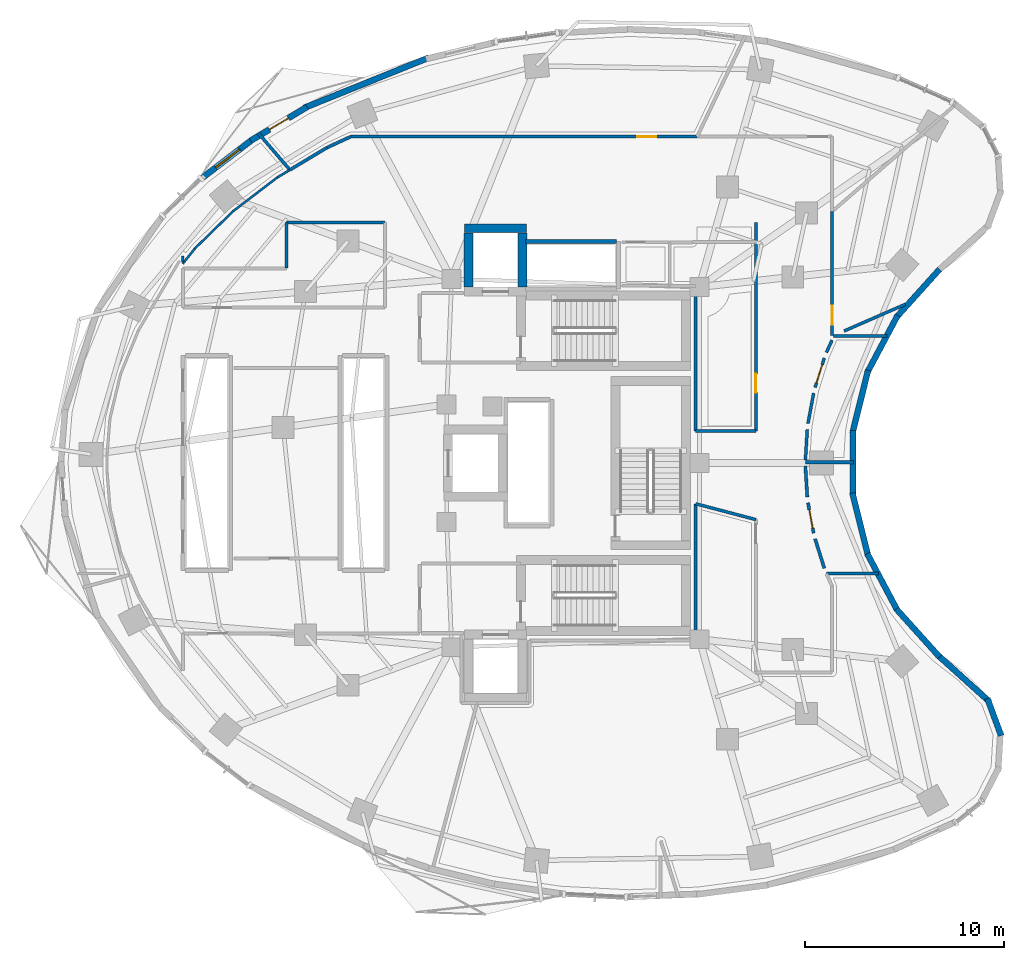
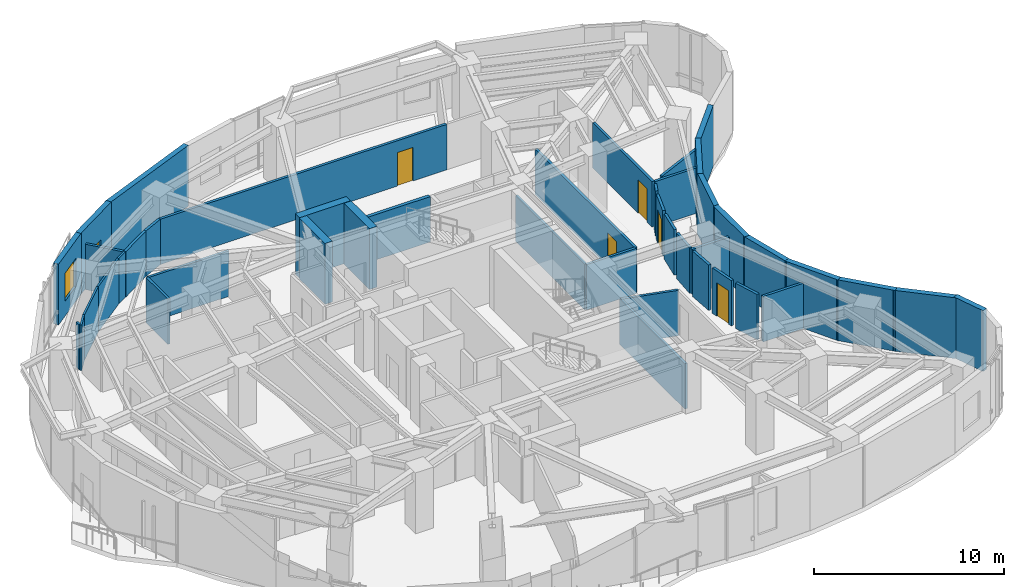
# One storey, part 9 of 13: 44 walls, 6 doors, 1 window, 7 openings.
"""IFC4 building model written with IfcOpenShell, lengths in metres."""

import ifcopenshell
import ifcopenshell.guid

model = None  # the IFC model being written
_history = None  # IfcOwnerHistory: only IFC2X3 demands one
_inside = {}  # id of a spatial element -> (the spatial element, [elements in it])
_under = {}  # id of a project, library or spatial element -> (it, [spatial elements below it])
_declared = {}  # id of a project -> (the project, [libraries it declares])
_typed = {}  # id of a type object -> (the type object, [elements of that type])
_made_of = {}  # id of a material, layer set ... -> (it, [elements and type objects made of it])


def new_model(schema):
    """Start an empty IFC model of exactly this schema.

    Asked for "IFC4X3", IfcOpenShell would pick the latest addendum, in which some entities
    have other attributes; the version numbers below select the first issue.
    IFC2X3 requires an IfcOwnerHistory on every rooted entity: one is made here for all.
    """
    global model, _history
    if schema == "IFC4X3":
        model = ifcopenshell.file(schema_version=(4, 3, 0, 0))
    else:
        model = ifcopenshell.file(schema=schema)
    _inside.clear()
    _under.clear()
    _declared.clear()
    _typed.clear()
    _made_of.clear()
    _history = None
    if model.schema == "IFC2X3":
        org = make("IfcOrganization", Name="unknown")
        user = make(
            "IfcPersonAndOrganization",
            ThePerson=make("IfcPerson", FamilyName="unknown"),
            TheOrganization=org,
        )
        app = make(
            "IfcApplication",
            ApplicationDeveloper=org,
            Version="unknown",
            ApplicationFullName="unknown",
            ApplicationIdentifier="unknown",
        )
        _history = make(
            "IfcOwnerHistory",
            OwningUser=user,
            OwningApplication=app,
            ChangeAction="ADDED",
            CreationDate=0,
        )
    return model


def make(cls, **values):
    """One entity of the class cls with the attributes given. An attribute that is None is left unset."""
    return model.create_entity(
        cls, **{name: value for name, value in values.items() if value is not None}
    )


def rooted(cls, **values):
    """An entity with a GlobalId (a new one), such as an element, a storey or a relation."""
    return make(cls, GlobalId=ifcopenshell.guid.new(), OwnerHistory=_history, **values)


def si_unit(unit_type, name, prefix=None):
    """IfcSIUnit, for example si_unit("LENGTHUNIT", "METRE", prefix="MILLI")."""
    return make("IfcSIUnit", UnitType=unit_type, Prefix=prefix, Name=name)


def assignment(units):
    """IfcUnitAssignment: the units of a project."""
    return None if units is None else make("IfcUnitAssignment", Units=units)


def point(xyz):
    """IfcCartesianPoint."""
    return None if xyz is None else make("IfcCartesianPoint", Coordinates=xyz)


def direction(xyz):
    """IfcDirection."""
    return None if xyz is None else make("IfcDirection", DirectionRatios=xyz)


def frame(location, z_axis=None, x_axis=None):
    """IfcAxis2Placement3D, a coordinate frame: its origin and axes. An axis left out is left unset."""
    return make(
        "IfcAxis2Placement3D",
        Location=point(location),
        Axis=direction(z_axis),
        RefDirection=direction(x_axis),
    )


def frame_2d(location, x_axis=None):
    """IfcAxis2Placement2D, a coordinate frame in the plane: its origin and x axis."""
    return make(
        "IfcAxis2Placement2D", Location=point(location), RefDirection=direction(x_axis)
    )


def origin():
    """The frame at (0, 0, 0) with its axes left unset."""
    return frame((0.0, 0.0, 0.0))


def place(relative_to, where):
    """IfcLocalPlacement: puts the frame where relative to a parent placement (None: the world)."""
    return make(
        "IfcLocalPlacement", PlacementRelTo=relative_to, RelativePlacement=where
    )


def context(
    kind, dimensions, precision=None, world=None, true_north=None, identifier=None
):
    """IfcGeometricRepresentationContext, for example the 3D "Model" context."""
    return make(
        "IfcGeometricRepresentationContext",
        ContextIdentifier=identifier,
        ContextType=kind,
        CoordinateSpaceDimension=dimensions,
        Precision=precision,
        WorldCoordinateSystem=world,
        TrueNorth=true_north,
    )


def subcontext(parent, identifier, kind, view, scale=None):
    """IfcGeometricRepresentationSubContext, for example "Body" below "Model"."""
    return make(
        "IfcGeometricRepresentationSubContext",
        ContextIdentifier=identifier,
        ContextType=kind,
        ParentContext=parent,
        TargetScale=scale,
        TargetView=view,
    )


def project(units=None, contexts=None):
    """IfcProject with its units and contexts."""
    return rooted(
        "IfcProject",
        Name="project",
        RepresentationContexts=contexts,
        UnitsInContext=assignment(units),
    )


def spatial(cls, under=None, at=None, **own):
    """A site, building, storey or space (cls), placed at a placement, below another one or the project."""
    s = rooted(cls, ObjectPlacement=at, **own)
    if under is not None:
        _under.setdefault(under.id(), (under, []))[1].append(s)
    return s


def profile(cls, at=None, kind="AREA", **sizes):
    """A parametric profile (cls). Its sizes go by their IFC names, for example OverallWidth=200.0."""
    return make(cls, ProfileType=kind, Position=at, **sizes)


def rectangle(**sizes):
    """IfcRectangleProfileDef."""
    return profile("IfcRectangleProfileDef", **sizes)


def extrude(swept, where, along, depth):
    """IfcExtrudedAreaSolid: the profile swept, set in the frame where, extruded along a direction by depth."""
    return make(
        "IfcExtrudedAreaSolid",
        SweptArea=swept,
        Position=where,
        ExtrudedDirection=direction(along),
        Depth=depth,
    )


def shape(context_of_items, identifier, shape_type, items):
    """IfcShapeRepresentation: the items that make up one representation, for example the "Body"."""
    return make(
        "IfcShapeRepresentation",
        ContextOfItems=context_of_items,
        RepresentationIdentifier=identifier,
        RepresentationType=shape_type,
        Items=items,
    )


def material(Name=None, Category=None):
    """IfcMaterial."""
    return make("IfcMaterial", Name=Name, Category=Category)


def layer(
    of_material, thickness, ventilated=None, Name=None, Category=None, Priority=None
):
    """IfcMaterialLayer: one layer of a wall or slab, of a material (None: an air gap)."""
    return make(
        "IfcMaterialLayer",
        Material=of_material,
        LayerThickness=thickness,
        IsVentilated=ventilated,
        Name=Name,
        Category=Category,
        Priority=Priority,
    )


def layer_set(layers, Name=None):
    """IfcMaterialLayerSet."""
    return make("IfcMaterialLayerSet", MaterialLayers=layers, LayerSetName=Name)


def made_of(thing, what):
    """Note that an element or type object is made of a material, layer set ...; save() writes the relation."""
    if what is not None:
        _made_of.setdefault(what.id(), (what, []))[1].append(thing)
    return thing


def type_object(cls, material=None, **own):
    """A type object (cls), such as IfcWallType, which elements share."""
    return made_of(rooted(cls, **own), material)


def element(
    cls,
    number,
    at=None,
    inside=None,
    cuts=None,
    type_object=None,
    material=None,
    context=None,
    identifier="Body",
    shape_type=None,
    held_by="IfcProductDefinitionShape",
    body=None,
    shapes=None,
    **own,
):
    """One element of the class cls, such as IfcWall. Its Tag is "e" and its number.

    at: its placement. inside: the storey or other place that contains it. cuts: it is an
    opening in that element (IfcRelVoidsElement). A single representation is given by context,
    identifier, shape_type and body (its items); several are given by shapes. held_by: the class
    of the entity that holds the representations. save() writes the other relations.
    """
    e = rooted(cls, Tag="e%d" % number, ObjectPlacement=at, **own)
    if body is not None:
        shapes = [shape(context, identifier, shape_type, body)]
    if shapes is not None:
        e.Representation = make(held_by, Representations=shapes)
    if inside is not None:
        _inside.setdefault(inside.id(), (inside, []))[1].append(e)
    if cuts is not None:
        rooted(
            "IfcRelVoidsElement", RelatingBuildingElement=cuts, RelatedOpeningElement=e
        )
    if type_object is not None:
        _typed.setdefault(type_object.id(), (type_object, []))[1].append(e)
    return made_of(e, material)


def fill(opening, filler):
    """IfcRelFillsElement: the door or window that sits in an opening."""
    return rooted(
        "IfcRelFillsElement",
        RelatingOpeningElement=opening,
        RelatedBuildingElement=filler,
    )


def aggregate(whole, parts):
    """IfcRelAggregates: a whole, such as a stair, and the parts it consists of."""
    return rooted("IfcRelAggregates", RelatingObject=whole, RelatedObjects=parts)


def save(model, path):
    """Write the relations noted so far, then the file.

    IfcRelAggregates (storeys below a building ...), IfcRelContainedInSpatialStructure (elements
    in a storey), IfcRelDefinesByType, IfcRelAssociatesMaterial and IfcRelDeclares: one each for
    every whole, place, type object, material and project.
    """
    for whole, parts in _under.values():
        aggregate(whole, parts)
    for where, things in _inside.values():
        rooted(
            "IfcRelContainedInSpatialStructure",
            RelatedElements=things,
            RelatingStructure=where,
        )
    for kind, things in _typed.values():
        rooted("IfcRelDefinesByType", RelatedObjects=things, RelatingType=kind)
    for what, things in _made_of.values():
        rooted("IfcRelAssociatesMaterial", RelatedObjects=things, RelatingMaterial=what)
    for by, libraries in _declared.values():
        rooted("IfcRelDeclares", RelatingContext=by, RelatedDefinitions=libraries)
    model.write(path)


model = new_model("IFC4")

# Units and contexts
model_context = context("Model", 3, precision=1e-05, world=origin(), true_north=direction((0.0, 1.0)))
body_context = subcontext(model_context, "Body", "Model", "MODEL_VIEW")
ifc_project = project(units=[si_unit("LENGTHUNIT", "METRE"), si_unit("AREAUNIT", "SQUARE_METRE"), si_unit("VOLUMEUNIT", "CUBIC_METRE"), si_unit("PLANEANGLEUNIT", "RADIAN"), si_unit("MASSUNIT", "GRAM", prefix="KILO")], contexts=[model_context])

# Site, building, storey
site_placement = place(None, origin())
site = spatial("IfcSite", under=ifc_project, at=site_placement, CompositionType="ELEMENT")
building_placement = place(site_placement, origin())
building = spatial("IfcBuilding", under=site, at=building_placement, Name="Korentha Bioscience Tower", CompositionType="ELEMENT")
storey_placement = place(building_placement, frame((0.0, 0.0, 106.800048828125)))
storey = spatial("IfcBuildingStorey", under=building, at=storey_placement, Name="L24", CompositionType="ELEMENT", Elevation=106.800048828125)

# Wall, opening, door
ifc_material_1 = material(Name="Double-Stud Acoustic Gypsum", Category="gypsum")
ifc_layer_1 = layer(ifc_material_1, 0.14990234375, Name="Double-Stud Acoustic Gypsum")
ifc_layer_set_1 = layer_set([ifc_layer_1], Name="Double-Stud Acoustic Gypsum (IW-L150)")
wall_type_1 = type_object("IfcWallType", Name="Acoustic Laboratory Partition Wall 150", PredefinedType="PARTITIONING", material=ifc_layer_set_1)
wall_1_placement = place(storey_placement, frame((43.35791015625, 30.803466796875, 0.0), z_axis=(0.0, 0.0, 1.0), x_axis=(0.300641414783, 0.953737248783, 0.0)))
wall_1 = element("IfcWall", 1, at=wall_1_placement, inside=storey, type_object=wall_type_1, Name="L24 Biomechanical Motion Analysis Lab 04 Entrance Wall", PredefinedType="PARTITIONING", context=body_context, shape_type="SweptSolid", body=[
    extrude(rectangle(XDim=1.55029296875, YDim=0.14990234375, at=frame_2d((0.775146484375, 0.0))), origin(), (0.0, 0.0, 1.0), 2.909912109375),
])
opening_1_placement = place(wall_1_placement, frame((0.239990234375, 0.0, 0.0)))
opening_1 = element("IfcOpeningElement", 2, at=opening_1_placement, cuts=wall_1, Name="Opening ID-10L", PredefinedType="OPENING", context=body_context, shape_type="SweptSolid", body=[
    extrude(rectangle(XDim=0.949951171875, YDim=2.14990234375, at=frame_2d((0.47509765625, 1.074951171875))), frame((0.0, 0.08984375, 0.0), z_axis=(0.0, -1.0, 0.0), x_axis=(1.0, 0.0, 0.0)), (0.0, 0.0, 1.0), 0.1796875),
])
ifc_material_2 = material(Name="Phenolic Laminate Timber Core", Category="wood")
door_type_1 = type_object("IfcDoorType", Name="Laboratory Single Leaf Door 950x2150 Left", OperationType="SINGLE_SWING_LEFT", PredefinedType="DOOR", material=ifc_material_2)
door_1_placement = place(opening_1_placement, origin())
door_1 = element("IfcDoor", 3, at=door_1_placement, inside=storey, type_object=door_type_1, Name="L24 Biomechanical Motion Analysis Lab 04 Door", OperationType="SINGLE_SWING_LEFT", OverallHeight=2.14990234375, OverallWidth=0.949951171875, PredefinedType="DOOR", context=body_context, shape_type="SweptSolid", body=[
    extrude(rectangle(XDim=0.949951171875, YDim=2.14990234375, at=frame_2d((0.47509765625, 1.074951171875))), frame((0.0, 0.02490234375, 0.0), z_axis=(0.0, -1.0, 0.0), x_axis=(1.0, 0.0, 0.0)), (0.0, 0.0, 1.0), 0.050048828125),
])
fill(opening_1, door_1)

wall_2_placement = place(storey_placement, frame((44.2099609375, 33.402099609375, 0.0), z_axis=(0.0, 0.0, 1.0), x_axis=(0.0, 1.0, 0.0)))
wall_2 = element("IfcWall", 4, at=wall_2_placement, inside=storey, type_object=wall_type_1, Name="L24 Automated High-Throughput Assay Lab 05 Entrance Wall", PredefinedType="PARTITIONING", context=body_context, shape_type="SweptSolid", body=[
    extrude(rectangle(XDim=6.23779296875, YDim=0.14990234375, at=frame_2d((3.118896484375, 0.0))), origin(), (0.0, 0.0, 1.0), 2.909912109375),
])
opening_2_placement = place(wall_2_placement, frame((0.54248046875, 0.0, 0.0)))
opening_2 = element("IfcOpeningElement", 5, at=opening_2_placement, cuts=wall_2, Name="Opening ID-10R", PredefinedType="OPENING", context=body_context, shape_type="SweptSolid", body=[
    extrude(rectangle(XDim=0.949951171875, YDim=2.14990234375, at=frame_2d((0.47509765625, 1.074951171875))), frame((0.0, 0.08984375, 0.0), z_axis=(0.0, -1.0, 0.0), x_axis=(1.0, 0.0, 0.0)), (0.0, 0.0, 1.0), 0.1796875),
])
door_type_2 = type_object("IfcDoorType", Name="Laboratory Single Leaf Door 950x2150 Right", OperationType="SINGLE_SWING_RIGHT", PredefinedType="DOOR", material=ifc_material_2)
door_2_placement = place(opening_2_placement, origin())
door_2 = element("IfcDoor", 6, at=door_2_placement, inside=storey, type_object=door_type_2, Name="L24 Automated High-Throughput Assay Lab 05 Door", OperationType="SINGLE_SWING_RIGHT", OverallHeight=2.14990234375, OverallWidth=0.949951171875, PredefinedType="DOOR", context=body_context, shape_type="SweptSolid", body=[
    extrude(rectangle(XDim=0.949951171875, YDim=2.14990234375, at=frame_2d((0.47509765625, 1.074951171875))), frame((0.0, 0.02490234375, 0.0), z_axis=(0.0, -1.0, 0.0), x_axis=(1.0, 0.0, 0.0)), (0.0, 0.0, 1.0), 0.050048828125),
])
fill(opening_2, door_2)

wall_3_placement = place(storey_placement, frame((40.389892578125, 39.090087890625, 0.0), z_axis=(0.0, 0.0, 1.0), x_axis=(0.0, -1.0, 0.0)))
wall_3 = element("IfcWall", 7, at=wall_3_placement, inside=storey, type_object=wall_type_1, Name="L24 Mass-Spectrometry Analytical Suite 06 Entrance Wall", PredefinedType="PARTITIONING", context=body_context, shape_type="SweptSolid", body=[
    extrude(rectangle(XDim=10.47998046875, YDim=0.14990234375, at=frame_2d((5.239990234375, 0.0))), origin(), (0.0, 0.0, 1.0), 2.909912109375),
])
opening_3_placement = place(wall_3_placement, frame((7.603759765625, 0.0, 0.0)))
opening_3 = element("IfcOpeningElement", 8, at=opening_3_placement, cuts=wall_3, Name="Opening ID-10L", PredefinedType="OPENING", context=body_context, shape_type="SweptSolid", body=[
    extrude(rectangle(XDim=0.949951171875, YDim=2.14990234375, at=frame_2d((0.47509765625, 1.074951171875))), frame((0.0, 0.08984375, 0.0), z_axis=(0.0, -1.0, 0.0), x_axis=(1.0, 0.0, 0.0)), (0.0, 0.0, 1.0), 0.1796875),
])
door_3_placement = place(opening_3_placement, origin())
door_3 = element("IfcDoor", 9, at=door_3_placement, inside=storey, type_object=door_type_1, Name="L24 Mass-Spectrometry Analytical Suite 06 Door", OperationType="SINGLE_SWING_LEFT", OverallHeight=2.14990234375, OverallWidth=0.949951171875, PredefinedType="DOOR", context=body_context, shape_type="SweptSolid", body=[
    extrude(rectangle(XDim=0.949951171875, YDim=2.14990234375, at=frame_2d((0.47509765625, 1.074951171875))), frame((0.0, 0.02490234375, 0.0), z_axis=(0.0, -1.0, 0.0), x_axis=(1.0, 0.0, 0.0)), (0.0, 0.0, 1.0), 0.050048828125),
])
fill(opening_3, door_3)

# Walls
wall_4_placement = place(storey_placement, frame((37.360107421875, 18.10009765625, 0.0), z_axis=(0.0, 0.0, 1.0), x_axis=(0.0, 1.0, 0.0)))
element("IfcWall", 10, at=wall_4_placement, inside=storey, type_object=wall_type_1, Name="L24 Interior Partition 024", PredefinedType="PARTITIONING", context=body_context, shape_type="SweptSolid", body=[
    extrude(rectangle(XDim=6.85791015625, YDim=0.14990234375, at=frame_2d((3.428955078125, 0.0))), origin(), (0.0, 0.0, 1.0), 2.909912109375),
])
wall_5_placement = place(storey_placement, frame((37.360107421875, 24.9580078125, 0.0), z_axis=(0.0, 0.0, 1.0), x_axis=(0.967070499487, -0.254508642331, 0.0)))
element("IfcWall", 11, at=wall_5_placement, inside=storey, type_object=wall_type_1, Name="L24 Interior Partition 025", PredefinedType="PARTITIONING", context=body_context, shape_type="SweptSolid", body=[
    extrude(rectangle(XDim=3.133056640625, YDim=0.14990234375, at=frame_2d((1.56640625, 0.0))), origin(), (0.0, 0.0, 1.0), 2.909912109375),
])
wall_6_placement = place(storey_placement, frame((43.927490234375, 21.447998046875, 0.0), z_axis=(0.0, 0.0, 1.0), x_axis=(1.0, 0.0, 0.0)))
element("IfcWall", 12, at=wall_6_placement, inside=storey, type_object=wall_type_1, Name="L24 Interior Partition 029", PredefinedType="PARTITIONING", context=body_context, shape_type="SweptSolid", body=[
    extrude(rectangle(XDim=2.621337890625, YDim=0.14990234375, at=frame_2d((1.310546875, 0.0))), origin(), (0.0, 0.0, 1.0), 2.909912109375),
])
wall_7_placement = place(storey_placement, frame((42.87255859375, 27.148681640625, 0.0), z_axis=(0.0, 0.0, 1.0), x_axis=(0.061103659378, 0.99813142562, 0.0)))
element("IfcWall", 13, at=wall_7_placement, inside=storey, type_object=wall_type_1, Name="L24 Interior Partition 036", PredefinedType="PARTITIONING", context=body_context, shape_type="SweptSolid", body=[
    extrude(rectangle(XDim=1.55029296875, YDim=0.14990234375, at=frame_2d((0.775146484375, 0.0))), origin(), (0.0, 0.0, 1.0), 2.909912109375),
])
wall_8_placement = place(storey_placement, frame((43.00341796875, 28.99072265625, 0.0), z_axis=(0.0, 0.0, 1.0), x_axis=(0.182168192784, 0.983267384559, 0.0)))
element("IfcWall", 14, at=wall_8_placement, inside=storey, type_object=wall_type_1, Name="L24 Interior Partition 037", PredefinedType="PARTITIONING", context=body_context, shape_type="SweptSolid", body=[
    extrude(rectangle(XDim=1.550537109375, YDim=0.14990234375, at=frame_2d((0.775390625, 0.0))), origin(), (0.0, 0.0, 1.0), 2.909912109375),
])
wall_9_placement = place(storey_placement, frame((43.930419921875, 32.55908203125, 0.0), z_axis=(0.0, 0.0, 1.0), x_axis=(0.414377467152, 0.910105111905, 0.0)))
element("IfcWall", 15, at=wall_9_placement, inside=storey, type_object=wall_type_1, Name="L24 Interior Partition 038", PredefinedType="PARTITIONING", context=body_context, shape_type="SweptSolid", body=[
    extrude(rectangle(XDim=0.67236328125, YDim=0.14990234375, at=frame_2d((0.336181640625, 0.0))), origin(), (0.0, 0.0, 1.0), 2.909912109375),
])
wall_10_placement = place(storey_placement, frame((44.277099609375, 33.39794921875, 0.0), z_axis=(0.0, 0.0, 1.0), x_axis=(1.0, 0.0, 0.0)))
element("IfcWall", 16, at=wall_10_placement, inside=storey, type_object=wall_type_1, Name="L24 Interior Partition 039", PredefinedType="PARTITIONING", context=body_context, shape_type="SweptSolid", body=[
    extrude(rectangle(XDim=2.7041015625, YDim=0.14990234375, at=frame_2d((1.35205078125, 0.0))), origin(), (0.0, 0.0, 1.0), 2.909912109375),
])
wall_11_placement = place(storey_placement, frame((47.896728515625, 34.981689453125, 0.0), z_axis=(0.0, 0.0, 1.0), x_axis=(-0.916547126563, -0.399926699271, 0.0)))
element("IfcWall", 17, at=wall_11_placement, inside=storey, type_object=wall_type_1, Name="L24 Interior Partition 040", PredefinedType="PARTITIONING", context=body_context, shape_type="SweptSolid", body=[
    extrude(rectangle(XDim=3.360107421875, YDim=0.14990234375, at=frame_2d((1.68017578125, 0.0))), origin(), (0.0, 0.0, 1.0), 2.909912109375),
])
wall_12_placement = place(storey_placement, frame((40.389892578125, 28.610107421875, 0.0), z_axis=(0.0, 0.0, 1.0), x_axis=(-1.0, 0.0, 0.0)))
element("IfcWall", 18, at=wall_12_placement, inside=storey, type_object=wall_type_1, Name="L24 Interior Partition 046", PredefinedType="PARTITIONING", context=body_context, shape_type="SweptSolid", body=[
    extrude(rectangle(XDim=3.02978515625, YDim=0.14990234375, at=frame_2d((1.514892578125, 0.0))), origin(), (0.0, 0.0, 1.0), 2.909912109375),
])
wall_13_placement = place(storey_placement, frame((37.360107421875, 28.610107421875, 0.0), z_axis=(0.0, 0.0, 1.0), x_axis=(0.0, 1.0, 0.0)))
element("IfcWall", 19, at=wall_13_placement, inside=storey, type_object=wall_type_1, Name="L24 Interior Partition 047", PredefinedType="PARTITIONING", context=body_context, shape_type="SweptSolid", body=[
    extrude(rectangle(XDim=7.289794921875, YDim=0.14990234375, at=frame_2d((3.64501953125, 0.0))), origin(), (0.0, 0.0, 1.0), 2.909912109375),
])
wall_14_placement = place(storey_placement, frame((16.81005859375, 36.800048828125, 0.0), z_axis=(0.0, 0.0, 1.0), x_axis=(0.0, 1.0, 0.0)))
element("IfcWall", 20, at=wall_14_placement, inside=storey, type_object=wall_type_1, Name="L24 Interior Partition 053", PredefinedType="PARTITIONING", context=body_context, shape_type="SweptSolid", body=[
    extrude(rectangle(XDim=2.2900390625, YDim=0.14990234375, at=frame_2d((1.14501953125, 0.0))), origin(), (0.0, 0.0, 1.0), 2.909912109375),
])
wall_15_placement = place(storey_placement, frame((16.81005859375, 39.090087890625, 0.0), z_axis=(0.0, 0.0, 1.0), x_axis=(1.0, 0.0, 0.0)))
element("IfcWall", 21, at=wall_15_placement, inside=storey, type_object=wall_type_1, Name="L24 Interior Partition 054", PredefinedType="PARTITIONING", context=body_context, shape_type="SweptSolid", body=[
    extrude(rectangle(XDim=4.929931640625, YDim=0.14990234375, at=frame_2d((2.46484375, 0.0))), origin(), (0.0, 0.0, 1.0), 2.909912109375),
])
ifc_material_3 = material(Name="Fire-Rated Framed Glass", Category="glass")
ifc_layer_2 = layer(ifc_material_3, 0.110107421875, Name="Fire-Rated Framed Glass")
ifc_layer_set_2 = layer_set([ifc_layer_2], Name="Fire-Rated Framed Glass (IW-G110)")
wall_type_2 = type_object("IfcWallType", Name="Demountable Glazed Office Partition 110", PredefinedType="MOVABLE", material=ifc_layer_set_2)
wall_16_placement = place(storey_placement, frame((16.9619140625, 41.72705078125, 0.0), z_axis=(0.0, 0.0, 1.0), x_axis=(-0.857611696608, -0.514297752126, 0.0)))
element("IfcWall", 22, at=wall_16_placement, inside=storey, type_object=wall_type_2, Name="L24 Interior Partition 058", PredefinedType="MOVABLE", context=body_context, shape_type="SweptSolid", body=[
    extrude(rectangle(XDim=0.725341796875, YDim=0.110107421875, at=frame_2d((0.36279296875, 0.0))), origin(), (0.0, 0.0, 1.0), 2.909912109375),
])
wall_17_placement = place(storey_placement, frame((16.3388671875, 41.353515625, 0.0), z_axis=(0.0, 0.0, 1.0), x_axis=(-0.794513779695, -0.607246122981, 0.0)))
element("IfcWall", 23, at=wall_17_placement, inside=storey, type_object=wall_type_2, Name="L24 Interior Partition 059", PredefinedType="MOVABLE", context=body_context, shape_type="SweptSolid", body=[
    extrude(rectangle(XDim=2.799072265625, YDim=0.110107421875, at=frame_2d((1.3994140625, 0.0))), origin(), (0.0, 0.0, 1.0), 2.909912109375),
])
wall_18_placement = place(storey_placement, frame((14.1142578125, 39.65283203125, 0.0), z_axis=(0.0, 0.0, 1.0), x_axis=(-0.716161838398, -0.697934252794, 0.0)))
element("IfcWall", 24, at=wall_18_placement, inside=storey, type_object=wall_type_2, Name="L24 Interior Partition 060", PredefinedType="MOVABLE", context=body_context, shape_type="SweptSolid", body=[
    extrude(rectangle(XDim=2.6787109375, YDim=0.110107421875, at=frame_2d((1.33935546875, 0.0))), origin(), (0.0, 0.0, 1.0), 2.909912109375),
])
wall_19_placement = place(storey_placement, frame((12.195068359375, 37.781982421875, 0.0), z_axis=(0.0, 0.0, 1.0), x_axis=(-0.621081637991, -0.783745876513, 0.0)))
element("IfcWall", 25, at=wall_19_placement, inside=storey, type_object=wall_type_2, Name="L24 Interior Partition 061", PredefinedType="MOVABLE", context=body_context, shape_type="SweptSolid", body=[
    extrude(rectangle(XDim=0.97412109375, YDim=0.110107421875, at=frame_2d((0.487060546875, 0.0))), origin(), (0.0, 0.0, 1.0), 2.909912109375),
])
wall_20_placement = place(storey_placement, frame((11.590087890625, 37.11181640625, 0.0), z_axis=(0.0, 0.0, 1.0), x_axis=(0.0, 1.0, 0.0)))
element("IfcWall", 26, at=wall_20_placement, inside=storey, type_object=wall_type_2, Name="L24 Interior Partition 062", PredefinedType="MOVABLE", context=body_context, shape_type="SweptSolid", body=[
    extrude(rectangle(XDim=0.296142578125, YDim=0.110107421875, at=frame_2d((0.14794921875, 0.0))), origin(), (0.0, 0.0, 1.0), 2.909912109375),
])

# Wall, opening, door
ifc_material_4 = material(Name="Gypsum-Clad Steel Stud", Category="steel")
ifc_layer_3 = layer(ifc_material_4, 0.159912109375, Name="Gypsum-Clad Steel Stud")
ifc_layer_set_3 = layer_set([ifc_layer_3], Name="Gypsum-Clad Steel Stud (IW-C160)")
wall_type_3 = type_object("IfcWallType", Name="Fire-Rated Corridor Partition Wall 160", PredefinedType="PARTITIONING", material=ifc_layer_set_3)
wall_21_placement = place(storey_placement, frame((43.285888671875, 23.484619140625, 0.0), z_axis=(0.0, 0.0, 1.0), x_axis=(-0.182168192784, 0.983267384559, 0.0)))
wall_21 = element("IfcWall", 27, at=wall_21_placement, inside=storey, type_object=wall_type_3, Name="L24 Biospecimen Archive Store 03 Entrance Wall", PredefinedType="PARTITIONING", context=body_context, shape_type="SweptSolid", body=[
    extrude(rectangle(XDim=1.550537109375, YDim=0.159912109375, at=frame_2d((0.775390625, 0.0))), origin(), (0.0, 0.0, 1.0), 2.909912109375),
])
opening_4_placement = place(wall_21_placement, frame((0.239990234375, 0.0, 0.0)))
opening_4 = element("IfcOpeningElement", 28, at=opening_4_placement, cuts=wall_21, Name="Opening ID-10R", PredefinedType="OPENING", context=body_context, shape_type="SweptSolid", body=[
    extrude(rectangle(XDim=0.949951171875, YDim=2.14990234375, at=frame_2d((0.47509765625, 1.074951171875))), frame((0.0, 0.0947265625, 0.0), z_axis=(0.0, -1.0, 0.0), x_axis=(1.0, 0.0, 0.0)), (0.0, 0.0, 1.0), 0.189697265625),
])
door_4_placement = place(opening_4_placement, origin())
door_4 = element("IfcDoor", 29, at=door_4_placement, inside=storey, type_object=door_type_2, Name="L24 Biospecimen Archive Store 03 Door", OperationType="SINGLE_SWING_RIGHT", OverallHeight=2.14990234375, OverallWidth=0.949951171875, PredefinedType="DOOR", context=body_context, shape_type="SweptSolid", body=[
    extrude(rectangle(XDim=0.949951171875, YDim=2.14990234375, at=frame_2d((0.47509765625, 1.074951171875))), frame((0.0, 0.02490234375, 0.0), z_axis=(0.0, -1.0, 0.0), x_axis=(1.0, 0.0, 0.0)), (0.0, 0.0, 1.0), 0.050048828125),
])
fill(opening_4, door_4)

wall_22_placement = place(storey_placement, frame((37.427001953125, 43.409912109375, 0.0), z_axis=(0.0, 0.0, 1.0), x_axis=(-1.0, 0.0, 0.0)))
wall_22 = element("IfcWall", 30, at=wall_22_placement, inside=storey, type_object=wall_type_3, Name="L24 Solvent and Chemical Weighing Room 08 Entrance Wall", PredefinedType="PARTITIONING", context=body_context, shape_type="SweptSolid", body=[
    extrude(rectangle(XDim=17.384521484375, YDim=0.159912109375, at=frame_2d((8.6923828125, 0.0))), origin(), (0.0, 0.0, 1.0), 2.909912109375),
])
opening_5_placement = place(wall_22_placement, frame((2.04931640625, 0.0, 0.0)))
opening_5 = element("IfcOpeningElement", 31, at=opening_5_placement, cuts=wall_22, Name="Opening ID-10L", PredefinedType="OPENING", context=body_context, shape_type="SweptSolid", body=[
    extrude(rectangle(XDim=0.949951171875, YDim=2.14990234375, at=frame_2d((0.47509765625, 1.074951171875))), frame((0.0, 0.0947265625, 0.0), z_axis=(0.0, -1.0, 0.0), x_axis=(1.0, 0.0, 0.0)), (0.0, 0.0, 1.0), 0.189697265625),
])
door_5_placement = place(opening_5_placement, origin())
door_5 = element("IfcDoor", 32, at=door_5_placement, inside=storey, type_object=door_type_1, Name="L24 Solvent and Chemical Weighing Room 08 Door", OperationType="SINGLE_SWING_LEFT", OverallHeight=2.14990234375, OverallWidth=0.949951171875, PredefinedType="DOOR", context=body_context, shape_type="SweptSolid", body=[
    extrude(rectangle(XDim=0.949951171875, YDim=2.14990234375, at=frame_2d((0.47509765625, 1.074951171875))), frame((0.0, 0.02490234375, 0.0), z_axis=(0.0, -1.0, 0.0), x_axis=(1.0, 0.0, 0.0)), (0.0, 0.0, 1.0), 0.050048828125),
])
fill(opening_5, door_5)

# Walls
for number, where, z_axis, x_axis, name in (
    (33, (43.823974609375, 21.718017578125, 0.0), (0.0, 0.0, 1.0), (-0.300641414783, 0.953737248783, 0.0), "L24 Interior Partition 033"),
    (34, (42.96728515625, 25.303955078125, 0.0), (0.0, 0.0, 1.0), (-0.061103659378, 0.99813142562, 0.0), "L24 Interior Partition 034"),
):
    element("IfcWall", number, at=place(storey_placement, frame(where, z_axis=z_axis, x_axis=x_axis)), inside=storey, type_object=wall_type_3, Name=name, PredefinedType="PARTITIONING", context=body_context, shape_type="SweptSolid", body=[
        extrude(rectangle(XDim=1.55029296875, YDim=0.159912109375, at=frame_2d((0.775146484375, 0.0))), origin(), (0.0, 0.0, 1.0), 2.909912109375),
    ])
wall_23_placement = place(storey_placement, frame((42.869384765625, 27.048095703125, 0.0), z_axis=(0.0, 0.0, 1.0), x_axis=(1.0, 0.0, 0.0)))
element("IfcWall", 35, at=wall_23_placement, inside=storey, type_object=wall_type_3, Name="L24 Interior Partition 035", PredefinedType="PARTITIONING", context=body_context, shape_type="SweptSolid", body=[
    extrude(rectangle(XDim=2.4111328125, YDim=0.159912109375, at=frame_2d((1.20556640625, 0.0))), origin(), (0.0, 0.0, 1.0), 2.909912109375),
])
wall_24_placement = place(storey_placement, frame((20.038330078125, 43.4091796875, 0.0), z_axis=(0.0, 0.0, 1.0), x_axis=(-0.907124862852, -0.420861596248, 0.0)))
element("IfcWall", 36, at=wall_24_placement, inside=storey, type_object=wall_type_3, Name="L24 Interior Partition 050", PredefinedType="PARTITIONING", context=body_context, shape_type="SweptSolid", body=[
    extrude(rectangle(XDim=1.321533203125, YDim=0.159912109375, at=frame_2d((0.66064453125, 0.0))), origin(), (0.0, 0.0, 1.0), 2.909912109375),
])
wall_25_placement = place(storey_placement, frame((18.838623046875, 42.8525390625, 0.0), z_axis=(0.0, 0.0, 1.0), x_axis=(-0.857651118507, -0.514232008848, 0.0)))
element("IfcWall", 37, at=wall_25_placement, inside=storey, type_object=wall_type_3, Name="L24 Interior Partition 051", PredefinedType="PARTITIONING", context=body_context, shape_type="SweptSolid", body=[
    extrude(rectangle(XDim=2.17822265625, YDim=0.159912109375, at=frame_2d((1.089111328125, 0.0))), origin(), (0.0, 0.0, 1.0), 2.909912109375),
])
wall_26_placement = place(storey_placement, frame((16.970458984375, 41.732421875, 0.0), z_axis=(0.0, 0.0, 1.0), x_axis=(-0.651186692683, 0.758917578708, 0.0)))
element("IfcWall", 38, at=wall_26_placement, inside=storey, type_object=wall_type_3, Name="L24 Interior Partition 052", PredefinedType="PARTITIONING", context=body_context, shape_type="SweptSolid", body=[
    extrude(rectangle(XDim=2.440673828125, YDim=0.159912109375, at=frame_2d((1.22021484375, 0.0))), origin(), (0.0, 0.0, 1.0), 2.909912109375),
])

# Wall, opening, door
ifc_material_5 = material(Name="Honed Limestone Precast Concrete C40", Category="masonry")
ifc_layer_4 = layer(ifc_material_5, 0.300048828125, Name="Honed Limestone Precast Concrete C40")
ifc_layer_set_4 = layer_set([ifc_layer_4], Name="Honed Limestone Precast Concrete C40 (EW-ST300)")
wall_type_4 = type_object("IfcWallType", Name="Honed Limestone Cavity Spandrel Wall 300", PredefinedType="STANDARD", material=ifc_layer_set_4)
wall_27_placement = place(storey_placement, frame((17.83349609375, 44.896728515625, 0.0), z_axis=(0.0, 0.0, 1.0), x_axis=(-0.85758429223, -0.514343447242, 0.0)))
wall_27 = element("IfcWall", 39, at=wall_27_placement, inside=storey, type_object=wall_type_4, Name="L24 Balcony Threshold Wall 01", PredefinedType="STANDARD", context=body_context, shape_type="SweptSolid", body=[
    extrude(rectangle(XDim=3.30029296875, YDim=0.300048828125, at=frame_2d((1.650146484375, 0.0))), origin(), (0.0, 0.0, 1.0), 3.89990234375),
])
opening_6_placement = place(wall_27_placement, frame((1.10009765625, 0.0, 0.0)))
opening_6 = element("IfcOpeningElement", 40, at=opening_6_placement, cuts=wall_27, Name="Opening BD-11L", PredefinedType="OPENING", context=body_context, shape_type="SweptSolid", body=[
    extrude(rectangle(XDim=1.10009765625, YDim=2.14990234375, at=frame_2d((0.550048828125, 1.074951171875))), frame((0.0, 0.1650390625, 0.0), z_axis=(0.0, -1.0, 0.0), x_axis=(1.0, 0.0, 0.0)), (0.0, 0.0, 1.0), 0.329833984375),
])
ifc_material_6 = material(Name="Thermally Broken Glazed Aluminium", Category="aluminium")
door_type_3 = type_object("IfcDoorType", Name="Balcony Terrace Glazed Door 1100x2150 Left", OperationType="SINGLE_SWING_LEFT", PredefinedType="DOOR", material=ifc_material_6)
door_6_placement = place(opening_6_placement, origin())
door_6 = element("IfcDoor", 41, at=door_6_placement, inside=storey, type_object=door_type_3, Name="L24 Balcony Access Door 01", OperationType="SINGLE_SWING_LEFT", OverallHeight=2.14990234375, OverallWidth=1.10009765625, PredefinedType="DOOR", context=body_context, shape_type="SweptSolid", body=[
    extrude(rectangle(XDim=1.10009765625, YDim=2.14990234375, at=frame_2d((0.550048828125, 1.074951171875))), frame((0.0, 0.02490234375, 0.0), z_axis=(0.0, -1.0, 0.0), x_axis=(1.0, 0.0, 0.0)), (0.0, 0.0, 1.0), 0.050048828125),
])
fill(opening_6, door_6)

# Wall, opening, window
wall_28_placement = place(storey_placement, frame((15.1171875, 43.276611328125, 0.0), z_axis=(0.0, 0.0, 1.0), x_axis=(-0.794524406211, -0.607232219119, 0.0)))
wall_28 = element("IfcWall", 42, at=wall_28_placement, inside=storey, type_object=wall_type_4, Name="L24 Honed Limestone Spandrel Wall 12", PredefinedType="STANDARD", context=body_context, shape_type="SweptSolid", body=[
    extrude(rectangle(XDim=3.202880859375, YDim=0.300048828125, at=frame_2d((1.6015625, 0.0))), origin(), (0.0, 0.0, 1.0), 3.89990234375),
])
opening_7_placement = place(wall_28_placement, frame((0.851318359375, 0.0, 0.949951171875)))
opening_7 = element("IfcOpeningElement", 43, at=opening_7_placement, cuts=wall_28, Name="Opening WN-02", PredefinedType="OPENING", context=body_context, shape_type="SweptSolid", body=[
    extrude(rectangle(XDim=1.5, YDim=1.800048828125, at=frame_2d((0.75, 0.89990234375))), frame((0.0, 0.1650390625, 0.0), z_axis=(0.0, -1.0, 0.0), x_axis=(1.0, 0.0, 0.0)), (0.0, 0.0, 1.0), 0.329833984375),
])
ifc_material_7 = material(Name="Thermally Broken Aluminium Triple Glazing", Category="aluminium")
window_type = type_object("IfcWindowType", Name="Acoustic Operable Office Window 1500x1800", PartitioningType="DOUBLE_PANEL_VERTICAL", PredefinedType="WINDOW", material=ifc_material_7)
window_placement = place(opening_7_placement, origin())
window = element("IfcWindow", 44, at=window_placement, inside=storey, type_object=window_type, Name="L24 Facade Window 12", OverallHeight=1.800048828125, OverallWidth=1.5, PartitioningType="DOUBLE_PANEL_VERTICAL", PredefinedType="WINDOW", context=body_context, shape_type="SweptSolid", body=[
    extrude(rectangle(XDim=1.5, YDim=1.800048828125, at=frame_2d((0.75, 0.89990234375))), frame((0.0, 0.030029296875, 0.0), z_axis=(0.0, -1.0, 0.0), x_axis=(1.0, 0.0, 0.0)), (0.0, 0.0, 1.0), 0.06005859375),
])
fill(opening_7, window)

# Walls
wall_29_placement = place(storey_placement, frame((23.955810546875, 47.375, 0.0), z_axis=(0.0, 0.0, 1.0), x_axis=(-0.927423312416, -0.374013368194, 0.0)))
element("IfcWall", 45, at=wall_29_placement, inside=storey, type_object=wall_type_4, Name="L24 Limestone Perimeter Closure Wall 09", PredefinedType="STANDARD", context=body_context, shape_type="SweptSolid", body=[
    extrude(rectangle(XDim=6.76904296875, YDim=0.300048828125, at=frame_2d((3.384521484375, 0.0))), origin(), (0.0, 0.0, 1.0), 3.89990234375),
])
wall_30_placement = place(storey_placement, frame((52.710205078125, 13.3046875, 0.0), z_axis=(0.0, 0.0, 1.0), x_axis=(-0.347370087337, 0.937728117539, 0.0)))
element("IfcWall", 46, at=wall_30_placement, inside=storey, type_object=wall_type_4, Name="L24 Limestone Perimeter Closure Wall 40", PredefinedType="STANDARD", context=body_context, shape_type="SweptSolid", body=[
    extrude(rectangle(XDim=1.997314453125, YDim=0.300048828125, at=frame_2d((0.99853515625, 0.0))), origin(), (0.0, 0.0, 1.0), 3.89990234375),
])
wall_31_placement = place(storey_placement, frame((52.14111328125, 14.993896484375, 0.0), z_axis=(0.0, 0.0, 1.0), x_axis=(-0.74255963233, 0.669779958221, 0.0)))
element("IfcWall", 47, at=wall_31_placement, inside=storey, type_object=wall_type_4, Name="L24 Limestone Perimeter Closure Wall 41", PredefinedType="STANDARD", context=body_context, shape_type="SweptSolid", body=[
    extrude(rectangle(XDim=3.5390625, YDim=0.300048828125, at=frame_2d((1.76953125, 0.0))), origin(), (0.0, 0.0, 1.0), 3.89990234375),
])
wall_32_placement = place(storey_placement, frame((49.61572265625, 17.26171875, 0.0), z_axis=(0.0, 0.0, 1.0), x_axis=(-0.669167727967, 0.743111399353, 0.0)))
element("IfcWall", 48, at=wall_32_placement, inside=storey, type_object=wall_type_4, Name="L24 Limestone Perimeter Closure Wall 43", PredefinedType="STANDARD", context=body_context, shape_type="SweptSolid", body=[
    extrude(rectangle(XDim=3.25537109375, YDim=0.300048828125, at=frame_2d((1.627685546875, 0.0))), origin(), (0.0, 0.0, 1.0), 3.89990234375),
])
wall_33_placement = place(storey_placement, frame((47.5087890625, 19.578857421875, 0.0), z_axis=(0.0, 0.0, 1.0), x_axis=(-0.469451284634, 0.882958374645, 0.0)))
element("IfcWall", 49, at=wall_33_placement, inside=storey, type_object=wall_type_4, Name="L24 Limestone Perimeter Closure Wall 45", PredefinedType="STANDARD", context=body_context, shape_type="SweptSolid", body=[
    extrude(rectangle(XDim=3.255615234375, YDim=0.300048828125, at=frame_2d((1.6279296875, 0.0))), origin(), (0.0, 0.0, 1.0), 3.89990234375),
])
wall_34_placement = place(storey_placement, frame((46.025146484375, 22.3369140625, 0.0), z_axis=(0.0, 0.0, 1.0), x_axis=(-0.241900409149, 0.970301083197, 0.0)))
element("IfcWall", 50, at=wall_34_placement, inside=storey, type_object=wall_type_4, Name="L24 Limestone Perimeter Closure Wall 47", PredefinedType="STANDARD", context=body_context, shape_type="SweptSolid", body=[
    extrude(rectangle(XDim=3.255859375, YDim=0.300048828125, at=frame_2d((1.6279296875, 0.0))), origin(), (0.0, 0.0, 1.0), 3.89990234375),
])
wall_35_placement = place(storey_placement, frame((45.252685546875, 25.372314453125, 0.0), z_axis=(0.0, 0.0, 1.0), x_axis=(0.0, 1.0, 0.0)))
element("IfcWall", 51, at=wall_35_placement, inside=storey, type_object=wall_type_4, Name="L24 Limestone Perimeter Closure Wall 49", PredefinedType="STANDARD", context=body_context, shape_type="SweptSolid", body=[
    extrude(rectangle(XDim=3.25537109375, YDim=0.300048828125, at=frame_2d((1.627685546875, 0.0))), origin(), (0.0, 0.0, 1.0), 3.89990234375),
])
wall_36_placement = place(storey_placement, frame((45.237548828125, 28.50390625, 0.0), z_axis=(0.0, 0.0, 1.0), x_axis=(0.241900409149, 0.970301083197, 0.0)))
element("IfcWall", 52, at=wall_36_placement, inside=storey, type_object=wall_type_4, Name="L24 Limestone Perimeter Closure Wall 51", PredefinedType="STANDARD", context=body_context, shape_type="SweptSolid", body=[
    extrude(rectangle(XDim=3.255859375, YDim=0.300048828125, at=frame_2d((1.6279296875, 0.0))), origin(), (0.0, 0.0, 1.0), 3.89990234375),
])
wall_37_placement = place(storey_placement, frame((45.98046875, 31.546630859375, 0.0), z_axis=(0.0, 0.0, 1.0), x_axis=(0.469451284634, 0.882958374645, 0.0)))
element("IfcWall", 53, at=wall_37_placement, inside=storey, type_object=wall_type_4, Name="L24 Limestone Perimeter Closure Wall 53", PredefinedType="STANDARD", context=body_context, shape_type="SweptSolid", body=[
    extrude(rectangle(XDim=3.255615234375, YDim=0.300048828125, at=frame_2d((1.6279296875, 0.0))), origin(), (0.0, 0.0, 1.0), 3.89990234375),
])
wall_38_placement = place(storey_placement, frame((47.437255859375, 34.319091796875, 0.0), z_axis=(0.0, 0.0, 1.0), x_axis=(0.669167727967, 0.743111399353, 0.0)))
element("IfcWall", 54, at=wall_38_placement, inside=storey, type_object=wall_type_4, Name="L24 Limestone Perimeter Closure Wall 55", PredefinedType="STANDARD", context=body_context, shape_type="SweptSolid", body=[
    extrude(rectangle(XDim=3.25537109375, YDim=0.300048828125, at=frame_2d((1.627685546875, 0.0))), origin(), (0.0, 0.0, 1.0), 3.89990234375),
])
ifc_material_8 = material(Name="Autoclaved Aerated Concrete Block C25", Category="concrete")
ifc_layer_5 = layer(ifc_material_8, 0.199951171875, Name="Autoclaved Aerated Concrete Block C25")
ifc_layer_set_5 = layer_set([ifc_layer_5], Name="Autoclaved Aerated Concrete Block C25 (IW-S200)")
wall_type_5 = type_object("IfcWallType", Name="Lift and Riser Shaft Enclosure Wall 200", PredefinedType="PARTITIONING", material=ifc_layer_set_5)
wall_39_placement = place(storey_placement, frame((28.800048828125, 38.139892578125, 0.0), z_axis=(0.0, 0.0, 1.0), x_axis=(1.0, 0.0, 0.0)))
element("IfcWall", 55, at=wall_39_placement, inside=storey, type_object=wall_type_5, Name="L24 Lift Bank OBS Shaft Wall +Y", PredefinedType="PARTITIONING", context=body_context, shape_type="SweptSolid", body=[
    extrude(rectangle(XDim=4.570068359375, YDim=0.199951171875, at=frame_2d((2.28515625, 0.0))), origin(), (0.0, 0.0, 1.0), 2.909912109375),
])
ifc_material_9 = material(Name="Concrete C80", Category="concrete")
ifc_layer_6 = layer(ifc_material_9, 0.449951171875, Name="Concrete C80")
ifc_layer_set_6 = layer_set([ifc_layer_6], Name="Concrete C80 (CW-C80)")
wall_type_6 = type_object("IfcWallType", Name="Lower Core Shear Wall 450", PredefinedType="SHEAR", material=ifc_layer_set_6)
wall_40_placement = place(storey_placement, frame((25.75, 38.800048828125, 0.0), z_axis=(0.0, 0.0, 1.0), x_axis=(1.0, 0.0, 0.0)))
element("IfcWall", 56, at=wall_40_placement, inside=storey, type_object=wall_type_6, Name="L24 Core Shear Wall FFL2-N", PredefinedType="SHEAR", context=body_context, shape_type="SweptSolid", body=[
    extrude(rectangle(XDim=3.10009765625, YDim=0.449951171875, at=frame_2d((1.550048828125, 0.0))), origin(), (0.0, 0.0, 1.0), 3.89990234375),
])
for number, where, z_axis, x_axis, name in (
    (57, (25.949951171875, 35.860107421875, 0.0), (0.0, 0.0, 1.0), (0.0, 1.0, 0.0), "L24 Core Shear Wall FFL2-W"),
    (58, (28.64990234375, 35.860107421875, 0.0), (0.0, 0.0, 1.0), (0.0, 1.0, 0.0), "L24 Core Shear Wall FFL2-E"),
):
    element("IfcWall", number, at=place(storey_placement, frame(where, z_axis=z_axis, x_axis=x_axis)), inside=storey, type_object=wall_type_6, Name=name, PredefinedType="SHEAR", context=body_context, shape_type="SweptSolid", body=[
        extrude(rectangle(XDim=2.699951171875, YDim=0.449951171875, at=frame_2d((1.35009765625, 0.0))), origin(), (0.0, 0.0, 1.0), 3.89990234375),
    ])

save(model, "model.ifc")
